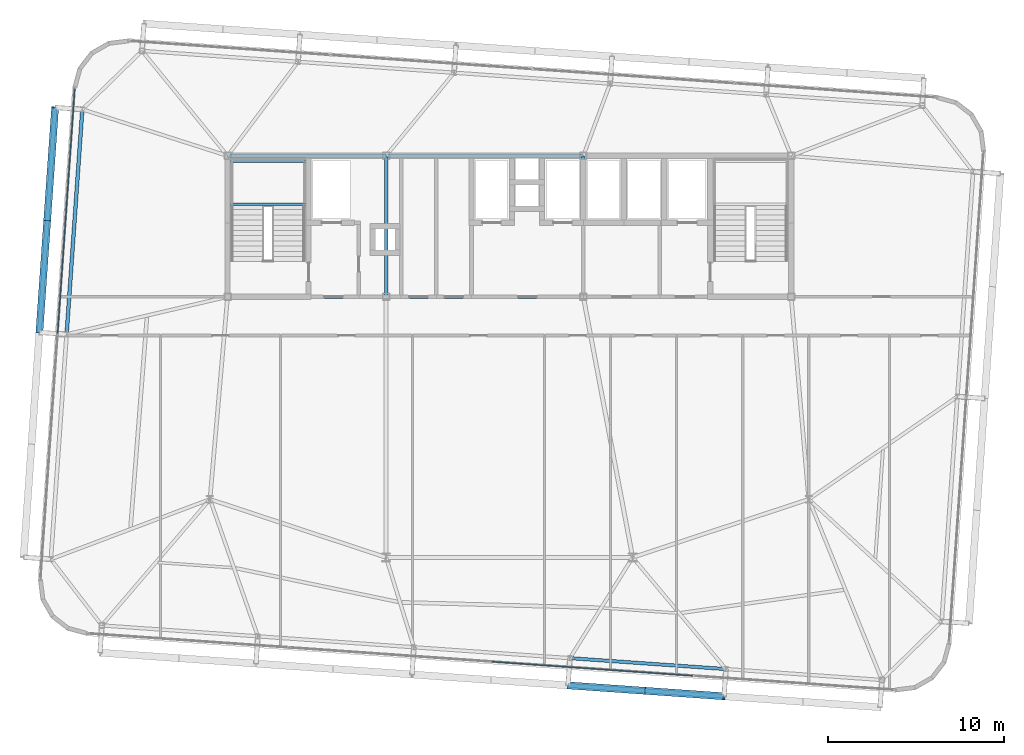
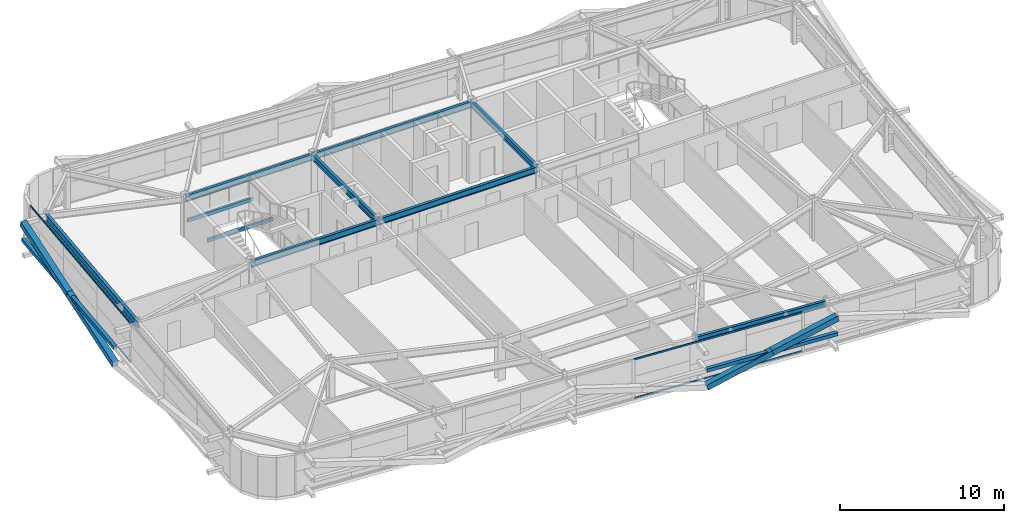
# One storey, part 12 of 39: 10 beams, 10 members, 2 elements without a shape of their own.
"""IFC4 building model written with IfcOpenShell, lengths in metres."""

from ifc_helpers import new_model, si_unit, direction, frame, origin, origin_2d, place, context, subcontext, project, spatial, hollow_rectangle, i_section, extrude, source, transform, mapped, material, layer, layer_set, material_profile, profile_set, type_object, element, aggregate, save


model = new_model("IFC4")

# Units and contexts
model_context = context("Model", 3, precision=1e-05, world=origin(), true_north=direction((0.0, 1.0)))
body_context = subcontext(model_context, "Body", "Model", "MODEL_VIEW")
ifc_project = project(units=[si_unit("LENGTHUNIT", "METRE"), si_unit("AREAUNIT", "SQUARE_METRE"), si_unit("VOLUMEUNIT", "CUBIC_METRE"), si_unit("PLANEANGLEUNIT", "RADIAN"), si_unit("MASSUNIT", "GRAM", prefix="KILO")], contexts=[model_context])

# Site, building, storey
site_placement = place(None, origin())
site = spatial("IfcSite", under=ifc_project, at=site_placement, CompositionType="ELEMENT")
building_placement = place(site_placement, origin())
building = spatial("IfcBuilding", under=site, at=building_placement, Name="Taldren Reach Tower", CompositionType="ELEMENT")
storey_placement = place(building_placement, frame((0.0, 0.0, 136.14990234375)))
storey = spatial("IfcBuildingStorey", under=building, at=storey_placement, Name="L41", CompositionType="ELEMENT", Elevation=136.14990234375)

# Beams
ifc_material_1 = material(Name="Steel Gr 350 (350PLUS)", Category="steel")
ifc_material_profile_1 = material_profile(ifc_material_1, i_section(OverallWidth=0.19091796875, OverallDepth=0.4599609375, WebThickness=0.010009765625, FlangeThickness=0.01611328125, at=origin_2d()), Name="460UB82.1")
ifc_profile_set_1 = profile_set([ifc_material_profile_1], Name="Steel Gr 350 (350PLUS)")
beam_type_1 = type_object("IfcBeamType", Name="BM-UB460A", PredefinedType="BEAM", material=ifc_profile_set_1)
shared_shape_1 = source(origin(), body_context, "Body", "SweptSolid", [
    extrude(i_section(OverallWidth=0.19091796875, OverallDepth=0.4599609375, WebThickness=0.010009765625, FlangeThickness=0.01611328125, at=origin_2d()), origin(), (0.0, 0.0, 1.0), 9.0),
])
for number, where, z_axis, x_axis, name in (
    (1, (19.0, 24.0, 2.7001953125), (1.0, 0.0, 0.0), (0.0, 1.0, 0.0), "Core-spine girder L41-SP01"),
    (2, (19.0, 32.0, 2.7001953125), (1.0, 0.0, 0.0), (0.0, 1.0, 0.0), "Core-spine girder L41-SP04"),
):
    element("IfcBeam", number, at=place(storey_placement, frame(where, z_axis=z_axis, x_axis=x_axis)), inside=storey, type_object=beam_type_1, Name=name, PredefinedType="BEAM", context=body_context, shape_type="MappedRepresentation", body=[
        mapped(shared_shape_1, transform((0.0, 0.0, 0.0), scale=1.0)),
    ])
shared_shape_2 = source(origin(), body_context, "Body", "SweptSolid", [
    extrude(i_section(OverallWidth=0.19091796875, OverallDepth=0.4599609375, WebThickness=0.010009765625, FlangeThickness=0.01611328125, at=origin_2d()), origin(), (0.0, 0.0, 1.0), 11.199951171875),
])
for number, where, z_axis, x_axis, name in (
    (3, (28.0, 24.0, 2.7001953125), (1.0, 0.0, 0.0), (0.0, 1.0, 0.0), "Core-spine girder L41-SP02"),
    (4, (28.0, 32.0, 2.7001953125), (1.0, 0.0, 0.0), (0.0, 1.0, 0.0), "Core-spine girder L41-SP05"),
):
    element("IfcBeam", number, at=place(storey_placement, frame(where, z_axis=z_axis, x_axis=x_axis)), inside=storey, type_object=beam_type_1, Name=name, PredefinedType="BEAM", context=body_context, shape_type="MappedRepresentation", body=[
        mapped(shared_shape_2, transform((0.0, 0.0, 0.0), scale=1.0)),
    ])
shared_shape_3 = source(origin(), body_context, "Body", "SweptSolid", [
    extrude(i_section(OverallWidth=0.19091796875, OverallDepth=0.4599609375, WebThickness=0.010009765625, FlangeThickness=0.01611328125, at=origin_2d()), origin(), (0.0, 0.0, 1.0), 8.0),
])
for number, where, z_axis, x_axis, name in (
    (5, (28.0, 24.0, 2.7001953125), (0.0, 1.0, 0.0), (-1.0, 0.0, 0.0), "Core-spine girder L41-SP07"),
    (6, (39.199951171875, 24.0, 2.7001953125), (0.0, 1.0, 0.0), (-1.0, 0.0, 0.0), "Core-spine girder L41-SP08"),
):
    element("IfcBeam", number, at=place(storey_placement, frame(where, z_axis=z_axis, x_axis=x_axis)), inside=storey, type_object=beam_type_1, Name=name, PredefinedType="BEAM", context=body_context, shape_type="MappedRepresentation", body=[
        mapped(shared_shape_3, transform((0.0, 0.0, 0.0), scale=1.0)),
    ])
ifc_material_profile_2 = material_profile(ifc_material_1, i_section(OverallWidth=0.18994140625, OverallDepth=0.4541015625, WebThickness=0.008544921875, FlangeThickness=0.0126953125, at=origin_2d()), Name="460UB67.1")
ifc_profile_set_2 = profile_set([ifc_material_profile_2], Name="Steel Gr 350 (350PLUS)")
beam_type_2 = type_object("IfcBeamType", Name="SP-UB460B", PredefinedType="SPANDREL", material=ifc_profile_set_2)
shared_shape_4 = source(origin(), body_context, "Body", "SweptSolid", [
    extrude(i_section(OverallWidth=0.18994140625, OverallDepth=0.4541015625, WebThickness=0.008544921875, FlangeThickness=0.0126953125, at=origin_2d()), origin(), (0.0, 0.0, 1.0), 8.880126953125),
])
beam_1_placement = place(storey_placement, frame((38.438720703125, 3.480224609375, 2.703125), z_axis=(0.997562566276, -0.06977769246, 0.0), x_axis=(0.06977769246, 0.997562566276, 0.0)))
element("IfcBeam", 7, at=beam_1_placement, inside=storey, type_object=beam_type_2, Name="Perimeter spandrel B3 S4-S5 L41", PredefinedType="SPANDREL", context=body_context, shape_type="MappedRepresentation", body=[
    mapped(shared_shape_4, transform((0.0, 0.0, 0.0), scale=1.0)),
])
ifc_material_profile_3 = material_profile(ifc_material_1, i_section(OverallWidth=0.208984375, OverallDepth=0.528076171875, WebThickness=0.009521484375, FlangeThickness=0.01318359375, at=origin_2d()), Name="530UB82.0")
ifc_profile_set_3 = profile_set([ifc_material_profile_3], Name="Steel Gr 350 (350PLUS)")
beam_type_3 = type_object("IfcBeamType", Name="SP-UB530B", PredefinedType="SPANDREL", material=ifc_profile_set_3)
shared_shape_5 = source(origin(), body_context, "Body", "SweptSolid", [
    extrude(i_section(OverallWidth=0.208984375, OverallDepth=0.528076171875, WebThickness=0.009521484375, FlangeThickness=0.01318359375, at=origin_2d()), origin(), (0.0, 0.0, 1.0), 12.800048828125),
])
beam_2_placement = place(storey_placement, frame((10.754638671875, 34.63720703125, 2.666015625), z_axis=(-0.069751876777, -0.9975643717, 0.0), x_axis=(0.9975643717, -0.069751876777, 0.0)))
element("IfcBeam", 8, at=beam_2_placement, inside=storey, type_object=beam_type_3, Name="Perimeter spandrel B3 W3-W2 L41", PredefinedType="SPANDREL", context=body_context, shape_type="MappedRepresentation", body=[
    mapped(shared_shape_5, transform((0.0, 0.0, 0.0), scale=1.0)),
])

# Members
ifc_material_2 = material(Name="Steel Gr 350 (C350L0)", Category="steel")
ifc_material_profile_4 = material_profile(ifc_material_2, hollow_rectangle(XDim=0.25, YDim=0.25, WallThickness=0.010009765625, at=origin_2d()), Name="250x250x10.0SHS")
ifc_profile_set_4 = profile_set([ifc_material_profile_4], Name="Steel Gr 350 (C350L0)")
member_type_1 = type_object("IfcMemberType", Name="MB-POST250", PredefinedType="POST", material=ifc_profile_set_4)
shared_shape_6 = source(origin(), body_context, "Body", "SweptSolid", [
    extrude(hollow_rectangle(XDim=0.25, YDim=0.25, WallThickness=0.010009765625, at=origin_2d()), origin(), (0.0, 0.0, 1.0), 8.880126953125),
])
member_1_placement = place(storey_placement, frame((38.33056640625, 1.933837890625, 1.43505859375), z_axis=(0.997564479639, -0.069750333063, 0.0), x_axis=(0.069750333063, 0.997564479639, 0.0)))
element("IfcMember", 9, at=member_1_placement, inside=storey, type_object=member_type_1, Name="Exoskeleton mid-height ring chord B3-S4 L41", PredefinedType="POST", context=body_context, shape_type="MappedRepresentation", body=[
    mapped(shared_shape_6, transform((0.0, 0.0, 0.0), scale=1.0)),
])
shared_shape_7 = source(origin(), body_context, "Body", "SweptSolid", [
    extrude(hollow_rectangle(XDim=0.25, YDim=0.25, WallThickness=0.010009765625, at=origin_2d()), origin(), (0.0, 0.0, 1.0), 12.800048828125),
])
member_2_placement = place(storey_placement, frame((8.3154296875, 21.9765625, 1.43505859375), z_axis=(0.069770857464, 0.997563044348, 0.0), x_axis=(-0.997563044348, 0.069770857464, 0.0)))
element("IfcMember", 10, at=member_2_placement, inside=storey, type_object=member_type_1, Name="Exoskeleton mid-height ring chord B3-W2 L41", PredefinedType="POST", context=body_context, shape_type="MappedRepresentation", body=[
    mapped(shared_shape_7, transform((0.0, 0.0, 0.0), scale=1.0)),
])
ifc_material_3 = material(Name="Steel Gr 450 (C450L0)", Category="steel")
ifc_material_profile_5 = material_profile(ifc_material_3, hollow_rectangle(XDim=0.409912109375, YDim=0.409912109375, WallThickness=0.01611328125, at=origin_2d()), Name="410x410x16.0SHS")
ifc_profile_set_5 = profile_set([ifc_material_profile_5], Name="Steel Gr 450 (C450L0)")
member_type_2 = type_object("IfcMemberType", Name="MB-EXO406", PredefinedType="BRACE", material=ifc_profile_set_5)
shared_shape_8 = source(origin(), body_context, "Body", "SweptSolid", [
    extrude(hollow_rectangle(XDim=0.409912109375, YDim=0.409912109375, WallThickness=0.01611328125, at=origin_2d()), origin(), (0.0, 0.0, 1.0), 4.603271484375),
])
for number, where, z_axis, x_axis, name in (
    (11, (38.33056640625, 1.933837890625, 0.22021484375), (0.962199253371, -0.067251055742, 0.263912660389), (0.069722973508, 0.997566392259, 0.0), "Exoskeleton Diagrid Brace B3-S4 L41"),
    (12, (42.759765625, 1.624267578125, 1.43505859375), (0.962182351074, -0.067302910567, 0.263961060594), (0.06977769246, 0.997562566276, 0.0), "Exoskeleton Diagrid Brace B3-S4 L41"),
):
    element("IfcMember", number, at=place(storey_placement, frame(where, z_axis=z_axis, x_axis=x_axis)), inside=storey, type_object=member_type_2, Name=name, PredefinedType="BRACE", context=body_context, shape_type="MappedRepresentation", body=[
        mapped(shared_shape_8, transform((0.0, 0.0, 0.0), scale=1.0)),
    ])
shared_shape_9 = source(origin(), body_context, "Body", "SweptSolid", [
    extrude(hollow_rectangle(XDim=0.409912109375, YDim=0.409912109375, WallThickness=0.01611328125, at=origin_2d()), origin(), (0.0, 0.0, 1.0), 6.514404296875),
])
member_3_placement = place(storey_placement, frame((8.761962890625, 28.36083984375, 1.43505859375), z_axis=(0.068545126831, 0.980056649402, 0.186522195865), x_axis=(-0.997563137195, 0.069769529958, 0.0)))
element("IfcMember", 13, at=member_3_placement, inside=storey, type_object=member_type_2, Name="Exoskeleton Diagrid Brace B3-W2 L41", PredefinedType="BRACE", context=body_context, shape_type="MappedRepresentation", body=[
    mapped(shared_shape_9, transform((0.0, 0.0, 0.0), scale=1.0)),
])
shared_shape_10 = source(origin(), body_context, "Body", "SweptSolid", [
    extrude(hollow_rectangle(XDim=0.409912109375, YDim=0.409912109375, WallThickness=0.01611328125, at=origin_2d()), origin(), (0.0, 0.0, 1.0), 6.51416015625),
])
member_4_placement = place(storey_placement, frame((8.3154296875, 21.9765625, 0.22021484375), z_axis=(0.068548123702, 0.980062020128, 0.186492872358), x_axis=(-0.997562951496, 0.069772185021, 0.0)))
element("IfcMember", 14, at=member_4_placement, inside=storey, type_object=member_type_2, Name="Exoskeleton Diagrid Brace B3-W2 L41", PredefinedType="BRACE", context=body_context, shape_type="MappedRepresentation", body=[
    mapped(shared_shape_10, transform((0.0, 0.0, 0.0), scale=1.0)),
])

# Curtain wall, members
ifc_material_4 = material(Name="Aluminium and Low-E Glass Unitised System", Category="aluminium")
ifc_layer = layer(ifc_material_4, 0.159912109375)
ifc_layer_set = layer_set([ifc_layer], Name="Aluminium and Low-E Glass Unitised System")
curtain_wall_type = type_object("IfcCurtainWallType", Name="CW-SYS-4", PredefinedType="NOTDEFINED", material=ifc_layer_set)
curtain_wall_1_placement = place(storey_placement, origin())
curtain_wall_1 = element("IfcCurtainWall", 15, at=curtain_wall_1_placement, inside=storey, type_object=curtain_wall_type, Name="Unitised curtain wall CW-L41-S", PredefinedType="NOTDEFINED")
ifc_material_5 = material(Name="Anodised Aluminium 6063-T6", Category="aluminium")
ifc_material_profile_6 = material_profile(ifc_material_5, hollow_rectangle(XDim=0.054931640625, YDim=0.1201171875, WallThickness=0.0029296875, at=origin_2d()), Name="ALU-120x55x3RHS")
ifc_profile_set_6 = profile_set([ifc_material_profile_6], Name="Anodised Aluminium 6063-T6")
member_type_3 = type_object("IfcMemberType", Name="CW-TRN-135", PredefinedType="USERDEFINED", material=ifc_profile_set_6)
shared_shape_11 = source(origin(), body_context, "Body", "SweptSolid", [
    extrude(hollow_rectangle(XDim=0.054931640625, YDim=0.1201171875, WallThickness=0.0029296875, at=origin_2d()), origin(), (0.0, 0.0, 1.0), 11.429931640625),
])
member_5_placement = place(storey_placement, frame((34.0087890625, 3.278564453125, 0.027587890625), z_axis=(0.997563740938, -0.069760897114, 0.0), x_axis=(0.069760897114, 0.997563740938, 0.0)))
member_5 = element("IfcMember", 16, at=member_5_placement, type_object=member_type_3, Name="CW-4 transom 3.1", ObjectType="TRANSOM", PredefinedType="USERDEFINED", context=body_context, shape_type="MappedRepresentation", body=[
    mapped(shared_shape_11, transform((0.0, 0.0, 0.0), scale=1.0)),
])
member_6_placement = place(storey_placement, frame((34.0087890625, 3.278564453125, 2.902587890625), z_axis=(0.997563740938, -0.069760897114, 0.0), x_axis=(0.069760897114, 0.997563740938, 0.0)))
member_6 = element("IfcMember", 17, at=member_6_placement, type_object=member_type_3, Name="CW-4 transom 3.2", ObjectType="TRANSOM", PredefinedType="USERDEFINED", context=body_context, shape_type="MappedRepresentation", body=[
    mapped(shared_shape_11, transform((0.0, 0.0, 0.0), scale=1.0)),
])
aggregate(curtain_wall_1, [member_5, member_6])

curtain_wall_2_placement = place(storey_placement, origin())
curtain_wall_2 = element("IfcCurtainWall", 18, at=curtain_wall_2_placement, inside=storey, type_object=curtain_wall_type, Name="Unitised curtain wall CW-L41-W", PredefinedType="NOTDEFINED")
shared_shape_12 = source(origin(), body_context, "Body", "SweptSolid", [
    extrude(hollow_rectangle(XDim=0.054931640625, YDim=0.1201171875, WallThickness=0.0029296875, at=origin_2d()), origin(), (0.0, 0.0, 1.0), 13.895263671875),
])
member_7_placement = place(storey_placement, frame((10.32470703125, 35.800048828125, 0.027587890625), z_axis=(-0.069753594456, -0.997564251595, 0.0), x_axis=(0.997564251595, -0.069753594456, 0.0)))
member_7 = element("IfcMember", 19, at=member_7_placement, type_object=member_type_3, Name="CW-4 transom 1.1", ObjectType="TRANSOM", PredefinedType="USERDEFINED", context=body_context, shape_type="MappedRepresentation", body=[
    mapped(shared_shape_12, transform((0.0, 0.0, 0.0), scale=1.0)),
])
member_8_placement = place(storey_placement, frame((10.32470703125, 35.800048828125, 2.902587890625), z_axis=(-0.069753594456, -0.997564251595, 0.0), x_axis=(0.997564251595, -0.069753594456, 0.0)))
member_8 = element("IfcMember", 20, at=member_8_placement, type_object=member_type_3, Name="CW-4 transom 1.2", ObjectType="TRANSOM", PredefinedType="USERDEFINED", context=body_context, shape_type="MappedRepresentation", body=[
    mapped(shared_shape_12, transform((0.0, 0.0, 0.0), scale=1.0)),
])
aggregate(curtain_wall_2, [member_7, member_8])

# Beams
ifc_material_profile_7 = material_profile(ifc_material_2, hollow_rectangle(XDim=0.14990234375, YDim=0.25, WallThickness=0.009033203125, at=origin_2d()), Name="250x150x9.0RHS")
ifc_profile_set_7 = profile_set([ifc_material_profile_7], Name="Steel Gr 350 (C350L0)")
beam_type_4 = type_object("IfcBeamType", Name="LN-RHS250", PredefinedType="LINTEL", material=ifc_profile_set_7)
shared_shape_13 = source(origin(), body_context, "Body", "SweptSolid", [
    extrude(hollow_rectangle(XDim=0.14990234375, YDim=0.25, WallThickness=0.009033203125, at=origin_2d()), origin(), (0.0, 0.0, 1.0), 4.60009765625),
])
for number, where, z_axis, x_axis, name in (
    (21, (19.0, 29.2548828125, 1.27001953125), (1.0, 0.0, 0.0), (0.0, 1.0, 0.0), "Stair half-landing support beam ST1-L41-1"),
    (22, (19.0, 31.699951171875, 1.27001953125), (1.0, 0.0, 0.0), (0.0, 1.0, 0.0), "Stair half-landing support beam ST1-L41-2"),
):
    element("IfcBeam", number, at=place(storey_placement, frame(where, z_axis=z_axis, x_axis=x_axis)), inside=storey, type_object=beam_type_4, Name=name, PredefinedType="LINTEL", context=body_context, shape_type="MappedRepresentation", body=[
        mapped(shared_shape_13, transform((0.0, 0.0, 0.0), scale=1.0)),
    ])

save(model, "model.ifc")
